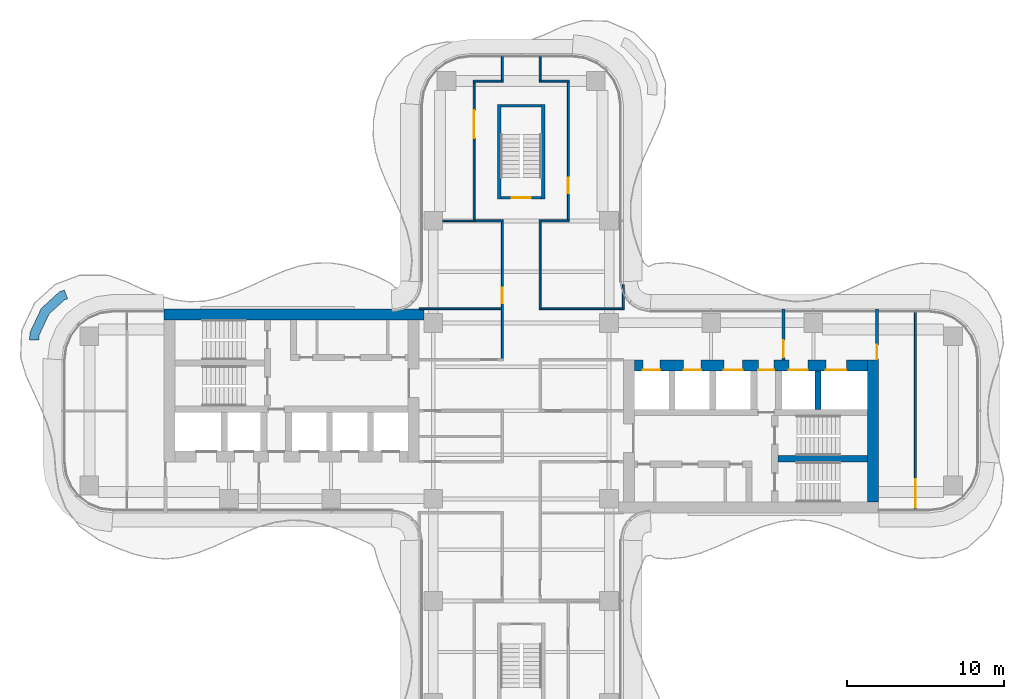
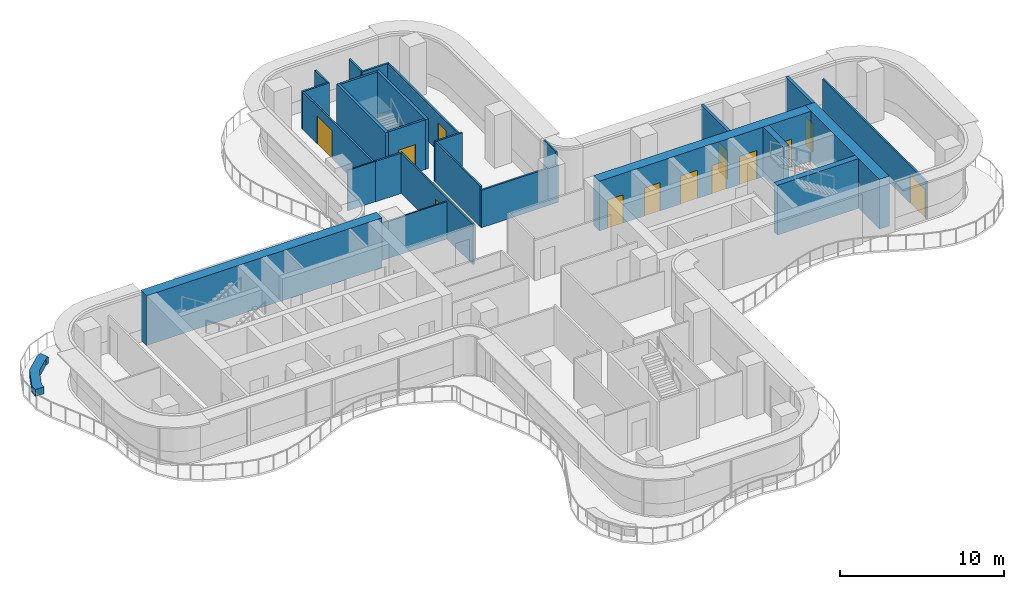
# One storey, part 15 of 18: 27 walls, 13 doors, 13 openings.
"""IFC4 building model written with IfcOpenShell, lengths in metres."""

from ifc_helpers import new_model, si_unit, direction, frame, frame_2d, origin, place, context, subcontext, project, spatial, polyline, rectangle, outline, extrude, source, transform, mapped, material, layer, layer_set, type_object, element, fill, save


model = new_model("IFC4")

# Units and contexts
model_context = context("Model", 3, precision=1e-05, world=origin(), true_north=direction((0.0, 1.0)))
body_context = subcontext(model_context, "Body", "Model", "MODEL_VIEW")
ifc_project = project(units=[si_unit("LENGTHUNIT", "METRE"), si_unit("AREAUNIT", "SQUARE_METRE"), si_unit("VOLUMEUNIT", "CUBIC_METRE"), si_unit("PLANEANGLEUNIT", "RADIAN"), si_unit("MASSUNIT", "GRAM", prefix="KILO")], contexts=[model_context])

# Site, building, storey
site_placement = place(None, origin())
site = spatial("IfcSite", under=ifc_project, at=site_placement, CompositionType="ELEMENT")
building_placement = place(site_placement, origin())
building = spatial("IfcBuilding", under=site, at=building_placement, Name="Trellis Farm Tower", CompositionType="ELEMENT")
storey_placement = place(building_placement, frame((0.0, 0.0, 201.0)))
storey = spatial("IfcBuildingStorey", under=building, at=storey_placement, Name="L44", CompositionType="ELEMENT", Elevation=201.0)

# Walls
ifc_material_1 = material(Name="Sandstone faced masonry planter", Category="masonry")
ifc_layer_1 = layer(ifc_material_1, 0.60009765625)
ifc_layer_set_1 = layer_set([ifc_layer_1], Name="PLANTER BED 600")
wall_type_1 = type_object("IfcWallType", Name="PLANTER BED 600", PredefinedType="USERDEFINED", material=ifc_layer_set_1)
wall_1_placement = place(storey_placement, origin())
element("IfcWall", 1, at=wall_1_placement, inside=storey, type_object=wall_type_1, Name="PLANTER bed", ObjectType="PLANTER", PredefinedType="USERDEFINED", context=body_context, shape_type="SweptSolid", body=[
    extrude(outline(polyline([(-30.5546875, 6.529296875), (-29.399658203125, 7.5810546875), (-29.090087890625, 7.697021484375), (-28.8798828125, 7.135009765625), (-29.0810546875, 7.0595703125), (-30.0625, 6.166259765625), (-30.689208984375, 4.83203125), (-30.7001953125, 4.5029296875), (-31.2998046875, 4.523193359375), (-31.28466796875, 4.9755859375), (-30.5546875, 6.529296875)])), origin(), (0.0, 0.0, 1.0), 0.5),
])
ifc_material_2 = material(Name="Concrete C70/85", Category="concrete")
ifc_layer_2 = layer(ifc_material_2, 0.699951171875)
ifc_layer_set_2 = layer_set([ifc_layer_2], Name="CORE OUTER WALL 700 CONCRETE C70/85")
wall_type_2 = type_object("IfcWallType", Name="CORE OUTER WALL 700 CONCRETE C70/85", PredefinedType="SHEAR", material=ifc_layer_set_2)
shared_shape_1 = source(origin(), body_context, "Body", "SweptSolid", [
    extrude(rectangle(XDim=9.050048828125, YDim=0.699951171875, at=frame_2d((4.52490234375, 0.0))), origin(), (0.0, 0.0, 1.0), 3.699951171875),
])
wall_2_placement = place(storey_placement, frame((22.39990234375, -5.800048828125, 0.0), z_axis=(0.0, 0.0, 1.0), x_axis=(0.0, 1.0, 0.0)))
element("IfcWall", 2, at=wall_2_placement, inside=storey, type_object=wall_type_2, Name="Core wall", PredefinedType="SHEAR", context=body_context, shape_type="MappedRepresentation", body=[
    mapped(shared_shape_1, transform((0.0, 0.0, 0.0))),
])
ifc_layer_3 = layer(ifc_material_2, 0.39990234375)
ifc_layer_set_3 = layer_set([ifc_layer_3], Name="CORE INNER WALL 400 CONCRETE C70/85")
wall_type_3 = type_object("IfcWallType", Name="CORE INNER WALL 400 CONCRETE C70/85", PredefinedType="SHEAR", material=ifc_layer_set_3)
shared_shape_2 = source(origin(), body_context, "Body", "SweptSolid", [
    extrude(rectangle(XDim=2.449951171875, YDim=0.39990234375, at=frame_2d((1.22509765625, 0.0))), origin(), (0.0, 0.0, 1.0), 3.699951171875),
])
wall_3_placement = place(storey_placement, frame((18.89990234375, 0.10009765625, 0.0), z_axis=(0.0, 0.0, 1.0), x_axis=(0.0, 1.0, 0.0)))
element("IfcWall", 3, at=wall_3_placement, inside=storey, type_object=wall_type_3, Name="Core wall", PredefinedType="SHEAR", context=body_context, shape_type="MappedRepresentation", body=[
    mapped(shared_shape_2, transform((0.0, 0.0, 0.0))),
])

# Wall, opening, door
ifc_material_3 = material(Name="Masonry blockwork", Category="masonry")
ifc_layer_4 = layer(ifc_material_3, 0.199951171875)
ifc_layer_set_4 = layer_set([ifc_layer_4], Name="FIRE LOBBY PARTITION 200 BLOCKWORK")
wall_type_4 = type_object("IfcWallType", Name="FIRE LOBBY PARTITION 200 BLOCKWORK", PredefinedType="PARTITIONING", material=ifc_layer_set_4)
shared_shape_3 = source(origin(), body_context, "Body", "SweptSolid", [
    extrude(rectangle(XDim=3.25, YDim=0.199951171875, at=frame_2d((1.625, 0.0))), origin(), (0.0, 0.0, 1.0), 3.699951171875),
])
wall_4_placement = place(storey_placement, frame((16.699951171875, 3.25, 0.0), z_axis=(0.0, 0.0, 1.0), x_axis=(0.0, 1.0, 0.0)))
wall_4 = element("IfcWall", 4, at=wall_4_placement, inside=storey, type_object=wall_type_4, Name="Fire-fighting lobby partition", PredefinedType="PARTITIONING", context=body_context, shape_type="MappedRepresentation", body=[
    mapped(shared_shape_3, transform((0.0, 0.0, 0.0))),
])
shared_shape_4 = source(origin(), body_context, "Body", "SweptSolid", [
    extrude(rectangle(XDim=1.10009765625, YDim=2.10009765625, at=frame_2d((0.550048828125, 1.050048828125))), frame((0.0, 0.110107421875, 0.0), z_axis=(0.0, -1.0, 0.0), x_axis=(1.0, 0.0, 0.0)), (0.0, 0.0, 1.0), 0.22021484375),
])
opening_1_placement = place(wall_4_placement, frame((0.14990234375, 0.0, 0.0)))
opening_1 = element("IfcOpeningElement", 5, at=opening_1_placement, cuts=wall_4, Name="Opening DC7", PredefinedType="OPENING", context=body_context, shape_type="MappedRepresentation", body=[
    mapped(shared_shape_4, transform((0.0, 0.0, 0.0))),
])
ifc_material_4 = material(Name="Steel", Category="steel")
door_type_1 = type_object("IfcDoorType", Name="CORE FIRE DOOR 1100 X 2100", OperationType="NOTDEFINED", PredefinedType="DOOR", material=ifc_material_4)
shared_shape_5 = source(origin(), body_context, "Body", "SweptSolid", [
    extrude(rectangle(XDim=1.10009765625, YDim=2.10009765625, at=frame_2d((0.550048828125, 1.050048828125))), frame((0.0, 0.02490234375, 0.0), z_axis=(0.0, -1.0, 0.0), x_axis=(1.0, 0.0, 0.0)), (0.0, 0.0, 1.0), 0.050048828125),
])
door_1_placement = place(opening_1_placement, origin())
door_1 = element("IfcDoor", 6, at=door_1_placement, inside=storey, type_object=door_type_1, Name="Core door", OperationType="SINGLE_SWING_RIGHT", OverallHeight=2.10009765625, OverallWidth=1.10009765625, PredefinedType="DOOR", context=body_context, shape_type="MappedRepresentation", body=[
    mapped(shared_shape_5, transform((0.0, 0.0, 0.0))),
])
fill(opening_1, door_1)

wall_5_placement = place(storey_placement, frame((22.64990234375, 3.25, 0.0), z_axis=(0.0, 0.0, 1.0), x_axis=(0.0, 1.0, 0.0)))
wall_5 = element("IfcWall", 7, at=wall_5_placement, inside=storey, type_object=wall_type_4, Name="Fire-fighting lobby partition", PredefinedType="PARTITIONING", context=body_context, shape_type="MappedRepresentation", body=[
    mapped(shared_shape_3, transform((0.0, 0.0, 0.0))),
])
shared_shape_6 = source(origin(), body_context, "Body", "SweptSolid", [
    extrude(rectangle(XDim=0.89990234375, YDim=2.10009765625, at=frame_2d((0.449951171875, 1.050048828125))), frame((0.0, 0.110107421875, 0.0), z_axis=(0.0, -1.0, 0.0), x_axis=(1.0, 0.0, 0.0)), (0.0, 0.0, 1.0), 0.22021484375),
])
opening_2_placement = place(wall_5_placement, frame((0.050048828125, 0.0, 0.0)))
opening_2 = element("IfcOpeningElement", 8, at=opening_2_placement, cuts=wall_5, Name="Opening DC8", PredefinedType="OPENING", context=body_context, shape_type="MappedRepresentation", body=[
    mapped(shared_shape_6, transform((0.0, 0.0, 0.0))),
])
door_type_2 = type_object("IfcDoorType", Name="CORE FIRE DOOR 900 X 2100", OperationType="NOTDEFINED", PredefinedType="DOOR", material=ifc_material_4)
shared_shape_7 = source(origin(), body_context, "Body", "SweptSolid", [
    extrude(rectangle(XDim=0.89990234375, YDim=2.10009765625, at=frame_2d((0.449951171875, 1.050048828125))), frame((0.0, 0.02490234375, 0.0), z_axis=(0.0, -1.0, 0.0), x_axis=(1.0, 0.0, 0.0)), (0.0, 0.0, 1.0), 0.050048828125),
])
door_2_placement = place(opening_2_placement, origin())
door_2 = element("IfcDoor", 9, at=door_2_placement, inside=storey, type_object=door_type_2, Name="Core door", OperationType="SINGLE_SWING_RIGHT", OverallHeight=2.10009765625, OverallWidth=0.89990234375, PredefinedType="DOOR", context=body_context, shape_type="MappedRepresentation", body=[
    mapped(shared_shape_7, transform((0.0, 0.0, 0.0))),
])
fill(opening_2, door_2)

# Wall
shared_shape_8 = source(origin(), body_context, "Body", "SweptSolid", [
    extrude(rectangle(XDim=16.550048828125, YDim=0.699951171875, at=frame_2d((8.27490234375, 0.0))), origin(), (0.0, 0.0, 1.0), 3.699951171875),
])
wall_6_placement = place(storey_placement, frame((-6.199951171875, 6.14990234375, 0.0), z_axis=(0.0, 0.0, 1.0), x_axis=(-1.0, 0.0, 0.0)))
element("IfcWall", 10, at=wall_6_placement, inside=storey, type_object=wall_type_2, Name="Core wall", PredefinedType="SHEAR", context=body_context, shape_type="MappedRepresentation", body=[
    mapped(shared_shape_8, transform((0.0, 0.0, 0.0))),
])

# Wall, openings, doors
shared_shape_9 = source(origin(), body_context, "Body", "SweptSolid", [
    extrude(rectangle(XDim=14.85009765625, YDim=0.699951171875, at=frame_2d((7.425048828125, 0.0))), origin(), (0.0, 0.0, 1.0), 3.699951171875),
])
wall_7_placement = place(storey_placement, frame((7.199951171875, 2.89990234375, 0.0), z_axis=(0.0, 0.0, 1.0), x_axis=(1.0, 0.0, 0.0)))
wall_7 = element("IfcWall", 11, at=wall_7_placement, inside=storey, type_object=wall_type_2, Name="Core wall", PredefinedType="SHEAR", context=body_context, shape_type="MappedRepresentation", body=[
    mapped(shared_shape_9, transform((0.0, 0.0, 0.0))),
])
shared_shape_10 = source(origin(), body_context, "Body", "SweptSolid", [
    extrude(rectangle(XDim=1.10009765625, YDim=2.10009765625, at=frame_2d((0.550048828125, 1.050048828125))), frame((0.0, 0.360107421875, 0.0), z_axis=(0.0, -1.0, 0.0), x_axis=(1.0, 0.0, 0.0)), (0.0, 0.0, 1.0), 0.72021484375),
])
opening_3_placement = place(wall_7_placement, frame((0.550048828125, 0.0, 0.0)))
opening_3 = element("IfcOpeningElement", 12, at=opening_3_placement, cuts=wall_7, Name="Opening LD4", PredefinedType="OPENING", context=body_context, shape_type="MappedRepresentation", body=[
    mapped(shared_shape_10, transform((0.0, 0.0, 0.0))),
])
opening_4_placement = place(wall_7_placement, frame((3.14990234375, 0.0, 0.0)))
opening_4 = element("IfcOpeningElement", 13, at=opening_4_placement, cuts=wall_7, Name="Opening LD5", PredefinedType="OPENING", context=body_context, shape_type="MappedRepresentation", body=[
    mapped(shared_shape_10, transform((0.0, 0.0, 0.0))),
])
shared_shape_11 = source(origin(), body_context, "Body", "SweptSolid", [
    extrude(rectangle(XDim=1.199951171875, YDim=2.10009765625, at=frame_2d((0.60009765625, 1.050048828125))), frame((0.0, 0.360107421875, 0.0), z_axis=(0.0, -1.0, 0.0), x_axis=(1.0, 0.0, 0.0)), (0.0, 0.0, 1.0), 0.72021484375),
])
opening_5_placement = place(wall_7_placement, frame((5.699951171875, 0.0, 0.0)))
opening_5 = element("IfcOpeningElement", 14, at=opening_5_placement, cuts=wall_7, Name="Opening LD6", PredefinedType="OPENING", context=body_context, shape_type="MappedRepresentation", body=[
    mapped(shared_shape_11, transform((0.0, 0.0, 0.0))),
])
shared_shape_12 = source(origin(), body_context, "Body", "SweptSolid", [
    extrude(rectangle(XDim=1.300048828125, YDim=2.10009765625, at=frame_2d((0.64990234375, 1.050048828125))), frame((0.0, 0.360107421875, 0.0), z_axis=(0.0, -1.0, 0.0), x_axis=(1.0, 0.0, 0.0)), (0.0, 0.0, 1.0), 0.72021484375),
])
opening_6_placement = place(wall_7_placement, frame((12.199951171875, 0.0, 0.0)))
opening_6 = element("IfcOpeningElement", 15, at=opening_6_placement, cuts=wall_7, Name="Opening LD7", PredefinedType="OPENING", context=body_context, shape_type="MappedRepresentation", body=[
    mapped(shared_shape_12, transform((0.0, 0.0, 0.0))),
])
opening_7_placement = place(wall_7_placement, frame((9.85009765625, 0.0, 0.0)))
opening_7 = element("IfcOpeningElement", 16, at=opening_7_placement, cuts=wall_7, Name="Opening LD8", PredefinedType="OPENING", context=body_context, shape_type="MappedRepresentation", body=[
    mapped(shared_shape_11, transform((0.0, 0.0, 0.0))),
])
shared_shape_13 = source(origin(), body_context, "Body", "SweptSolid", [
    extrude(rectangle(XDim=1.0, YDim=2.10009765625, at=frame_2d((0.5, 1.050048828125))), frame((0.0, 0.360107421875, 0.0), z_axis=(0.0, -1.0, 0.0), x_axis=(1.0, 0.0, 0.0)), (0.0, 0.0, 1.0), 0.72021484375),
])
opening_8_placement = place(wall_7_placement, frame((7.89990234375, 0.0, 0.0)))
opening_8 = element("IfcOpeningElement", 17, at=opening_8_placement, cuts=wall_7, Name="Opening DC6", PredefinedType="OPENING", context=body_context, shape_type="MappedRepresentation", body=[
    mapped(shared_shape_13, transform((0.0, 0.0, 0.0))),
])
door_type_3 = type_object("IfcDoorType", Name="CORE FIRE DOOR 1000 X 2100", OperationType="NOTDEFINED", PredefinedType="DOOR", material=ifc_material_4)
shared_shape_14 = source(origin(), body_context, "Body", "SweptSolid", [
    extrude(rectangle(XDim=1.0, YDim=2.10009765625, at=frame_2d((0.5, 1.050048828125))), frame((0.0, -0.27490234375, 0.0), z_axis=(0.0, -1.0, 0.0), x_axis=(1.0, 0.0, 0.0)), (0.0, 0.0, 1.0), 0.050048828125),
])
door_3_placement = place(opening_8_placement, origin())
door_3 = element("IfcDoor", 18, at=door_3_placement, inside=storey, type_object=door_type_3, Name="Core door", OperationType="SINGLE_SWING_LEFT", OverallHeight=2.10009765625, OverallWidth=1.0, PredefinedType="DOOR", context=body_context, shape_type="MappedRepresentation", body=[
    mapped(shared_shape_14, transform((0.0, 0.0, 0.0))),
])
fill(opening_8, door_3)
ifc_material_5 = material(Name="Stainless steel", Category="steel")
door_type_4 = type_object("IfcDoorType", Name="LIFT LANDING DOOR 1300 X 2100", OperationType="DOUBLE_DOOR_SLIDING", PredefinedType="DOOR", material=ifc_material_5)
shared_shape_15 = source(origin(), body_context, "Body", "SweptSolid", [
    extrude(rectangle(XDim=1.300048828125, YDim=2.10009765625, at=frame_2d((0.64990234375, 1.050048828125))), frame((0.0, -0.27490234375, 0.0), z_axis=(0.0, -1.0, 0.0), x_axis=(1.0, 0.0, 0.0)), (0.0, 0.0, 1.0), 0.050048828125),
])
door_4_placement = place(opening_6_placement, origin())
door_4 = element("IfcDoor", 19, at=door_4_placement, inside=storey, type_object=door_type_4, Name="Lift landing door", OperationType="DOUBLE_DOOR_SLIDING", OverallHeight=2.10009765625, OverallWidth=1.300048828125, PredefinedType="DOOR", context=body_context, shape_type="MappedRepresentation", body=[
    mapped(shared_shape_15, transform((0.0, 0.0, 0.0))),
])
fill(opening_6, door_4)
door_type_5 = type_object("IfcDoorType", Name="LIFT LANDING DOOR 1200 X 2100", OperationType="DOUBLE_DOOR_SLIDING", PredefinedType="DOOR", material=ifc_material_5)
shared_shape_16 = source(origin(), body_context, "Body", "SweptSolid", [
    extrude(rectangle(XDim=1.199951171875, YDim=2.10009765625, at=frame_2d((0.60009765625, 1.050048828125))), frame((0.0, -0.27490234375, 0.0), z_axis=(0.0, -1.0, 0.0), x_axis=(1.0, 0.0, 0.0)), (0.0, 0.0, 1.0), 0.050048828125),
])
door_5_placement = place(opening_5_placement, origin())
door_5 = element("IfcDoor", 20, at=door_5_placement, inside=storey, type_object=door_type_5, Name="Lift landing door", OperationType="DOUBLE_DOOR_SLIDING", OverallHeight=2.10009765625, OverallWidth=1.199951171875, PredefinedType="DOOR", context=body_context, shape_type="MappedRepresentation", body=[
    mapped(shared_shape_16, transform((0.0, 0.0, 0.0))),
])
fill(opening_5, door_5)
door_6_placement = place(opening_7_placement, origin())
door_6 = element("IfcDoor", 21, at=door_6_placement, inside=storey, type_object=door_type_5, Name="Lift landing door", OperationType="DOUBLE_DOOR_SLIDING", OverallHeight=2.10009765625, OverallWidth=1.199951171875, PredefinedType="DOOR", context=body_context, shape_type="MappedRepresentation", body=[
    mapped(shared_shape_16, transform((0.0, 0.0, 0.0))),
])
fill(opening_7, door_6)
door_type_6 = type_object("IfcDoorType", Name="LIFT LANDING DOOR 1100 X 2100", OperationType="DOUBLE_DOOR_SLIDING", PredefinedType="DOOR", material=ifc_material_5)
shared_shape_17 = source(origin(), body_context, "Body", "SweptSolid", [
    extrude(rectangle(XDim=1.10009765625, YDim=2.10009765625, at=frame_2d((0.550048828125, 1.050048828125))), frame((0.0, -0.27490234375, 0.0), z_axis=(0.0, -1.0, 0.0), x_axis=(1.0, 0.0, 0.0)), (0.0, 0.0, 1.0), 0.050048828125),
])
door_7_placement = place(opening_3_placement, origin())
door_7 = element("IfcDoor", 22, at=door_7_placement, inside=storey, type_object=door_type_6, Name="Lift landing door", OperationType="DOUBLE_DOOR_SLIDING", OverallHeight=2.10009765625, OverallWidth=1.10009765625, PredefinedType="DOOR", context=body_context, shape_type="MappedRepresentation", body=[
    mapped(shared_shape_17, transform((0.0, 0.0, 0.0))),
])
fill(opening_3, door_7)
door_8_placement = place(opening_4_placement, origin())
door_8 = element("IfcDoor", 23, at=door_8_placement, inside=storey, type_object=door_type_6, Name="Lift landing door", OperationType="DOUBLE_DOOR_SLIDING", OverallHeight=2.10009765625, OverallWidth=1.10009765625, PredefinedType="DOOR", context=body_context, shape_type="MappedRepresentation", body=[
    mapped(shared_shape_17, transform((0.0, 0.0, 0.0))),
])
fill(opening_4, door_8)

# Walls
shared_shape_18 = source(origin(), body_context, "Body", "SweptSolid", [
    extrude(rectangle(XDim=5.699951171875, YDim=0.39990234375, at=frame_2d((2.85009765625, 0.0))), origin(), (0.0, 0.0, 1.0), 3.699951171875),
])
wall_8_placement = place(storey_placement, frame((16.35009765625, -3.050048828125, 0.0), z_axis=(0.0, 0.0, 1.0), x_axis=(1.0, 0.0, 0.0)))
element("IfcWall", 24, at=wall_8_placement, inside=storey, type_object=wall_type_3, Name="Core wall", PredefinedType="SHEAR", context=body_context, shape_type="MappedRepresentation", body=[
    mapped(shared_shape_18, transform((0.0, 0.0, 0.0))),
])
ifc_layer_5 = layer(ifc_material_2, 0.199951171875)
ifc_layer_set_5 = layer_set([ifc_layer_5], Name="CORE STAIR ENCLOSURE WALL 200 CONCRETE C70/85")
wall_type_5 = type_object("IfcWallType", Name="CORE STAIR ENCLOSURE WALL 200 CONCRETE C70/85", PredefinedType="SHEAR", material=ifc_layer_set_5)
shared_shape_19 = source(origin(), body_context, "Body", "SweptSolid", [
    extrude(rectangle(XDim=6.0, YDim=0.199951171875, at=frame_2d((3.0, 0.0))), origin(), (0.0, 0.0, 1.0), 3.699951171875),
])
for number, where, z_axis, x_axis, name in (
    (25, (-1.39990234375, 13.5, 0.0), (0.0, 0.0, 1.0), (0.0, 1.0, 0.0), "Stair enclosure wall"),
    (26, (1.39990234375, 13.5, 0.0), (0.0, 0.0, 1.0), (0.0, 1.0, 0.0), "Stair enclosure wall"),
):
    element("IfcWall", number, at=place(storey_placement, frame(where, z_axis=z_axis, x_axis=x_axis)), inside=storey, type_object=wall_type_5, Name=name, PredefinedType="SHEAR", context=body_context, shape_type="MappedRepresentation", body=[
        mapped(shared_shape_19, transform((0.0, 0.0, 0.0))),
    ])

# Wall, opening, door
ifc_layer_6 = layer(ifc_material_2, 0.14990234375)
ifc_layer_set_6 = layer_set([ifc_layer_6], Name="CORE STAIR ENCLOSURE WALL 150 CONCRETE C70/85")
wall_type_6 = type_object("IfcWallType", Name="CORE STAIR ENCLOSURE WALL 150 CONCRETE C70/85", PredefinedType="SHEAR", material=ifc_layer_set_6)
shared_shape_20 = source(origin(), body_context, "Body", "SweptSolid", [
    extrude(rectangle(XDim=2.60009765625, YDim=0.14990234375, at=frame_2d((1.300048828125, 0.0))), origin(), (0.0, 0.0, 1.0), 3.699951171875),
])
wall_9_placement = place(storey_placement, frame((-1.300048828125, 13.574951171875, 0.0), z_axis=(0.0, 0.0, 1.0), x_axis=(1.0, 0.0, 0.0)))
wall_9 = element("IfcWall", 27, at=wall_9_placement, inside=storey, type_object=wall_type_6, Name="Stair enclosure wall", PredefinedType="SHEAR", context=body_context, shape_type="MappedRepresentation", body=[
    mapped(shared_shape_20, transform((0.0, 0.0, 0.0))),
])
shared_shape_21 = source(origin(), body_context, "Body", "SweptSolid", [
    extrude(rectangle(XDim=1.199951171875, YDim=2.10009765625, at=frame_2d((0.60009765625, 1.050048828125))), frame((0.0, 0.0849609375, 0.0), z_axis=(0.0, -1.0, 0.0), x_axis=(1.0, 0.0, 0.0)), (0.0, 0.0, 1.0), 0.169921875),
])
opening_9_placement = place(wall_9_placement, frame((0.699951171875, 0.0, 0.0)))
opening_9 = element("IfcOpeningElement", 28, at=opening_9_placement, cuts=wall_9, Name="Opening DC173", PredefinedType="OPENING", context=body_context, shape_type="MappedRepresentation", body=[
    mapped(shared_shape_21, transform((0.0, 0.0, 0.0))),
])
door_type_7 = type_object("IfcDoorType", Name="CORE FIRE DOOR 1200 X 2100", OperationType="NOTDEFINED", PredefinedType="DOOR", material=ifc_material_4)
shared_shape_22 = source(origin(), body_context, "Body", "SweptSolid", [
    extrude(rectangle(XDim=1.199951171875, YDim=2.10009765625, at=frame_2d((0.60009765625, 1.050048828125))), frame((0.0, 0.02490234375, 0.0), z_axis=(0.0, -1.0, 0.0), x_axis=(1.0, 0.0, 0.0)), (0.0, 0.0, 1.0), 0.050048828125),
])
door_9_placement = place(opening_9_placement, origin())
door_9 = element("IfcDoor", 29, at=door_9_placement, inside=storey, type_object=door_type_7, Name="Core door", OperationType="SINGLE_SWING_LEFT", OverallHeight=2.10009765625, OverallWidth=1.199951171875, PredefinedType="DOOR", context=body_context, shape_type="MappedRepresentation", body=[
    mapped(shared_shape_22, transform((0.0, 0.0, 0.0))),
])
fill(opening_9, door_9)

# Walls
wall_10_placement = place(storey_placement, frame((-1.300048828125, 19.425048828125, 0.0), z_axis=(0.0, 0.0, 1.0), x_axis=(1.0, 0.0, 0.0)))
element("IfcWall", 30, at=wall_10_placement, inside=storey, type_object=wall_type_6, Name="Stair enclosure wall", PredefinedType="SHEAR", context=body_context, shape_type="MappedRepresentation", body=[
    mapped(shared_shape_20, transform((0.0, 0.0, 0.0))),
])
ifc_material_6 = material(Name="Plasterboard on steel studs, mineral wool", Category="steel")
ifc_layer_7 = layer(ifc_material_6, 0.125)
ifc_layer_set_7 = layer_set([ifc_layer_7], Name="PARTITION 125 STUD EI 60")
wall_type_7 = type_object("IfcWallType", Name="PARTITION 125 STUD EI 60", PredefinedType="PARTITIONING", material=ifc_layer_set_7)
shared_shape_23 = source(origin(), body_context, "Body", "SweptSolid", [
    extrude(rectangle(XDim=5.47509765625, YDim=0.125, at=frame_2d((2.737548828125, 0.0))), origin(), (0.0, 0.0, 1.0), 2.99658203125),
])
wall_11_placement = place(storey_placement, frame((1.199951171875, 12.03759765625, 0.0), z_axis=(0.0, 0.0, 1.0), x_axis=(0.0, -1.0, 0.0)))
element("IfcWall", 31, at=wall_11_placement, inside=storey, type_object=wall_type_7, Name="Partition PW1", PredefinedType="PARTITIONING", context=body_context, shape_type="MappedRepresentation", body=[
    mapped(shared_shape_23, transform((0.0, 0.0, 0.0))),
])
shared_shape_24 = source(origin(), body_context, "Body", "SweptSolid", [
    extrude(rectangle(XDim=1.468994140625, YDim=0.125, at=frame_2d((0.734375, 0.0))), origin(), (0.0, 0.0, 1.0), 3.699951171875),
])
wall_12_placement = place(storey_placement, frame((6.5, 6.5625, 0.0), z_axis=(0.0, 0.0, 1.0), x_axis=(0.0, 1.0, 0.0)))
element("IfcWall", 32, at=wall_12_placement, inside=storey, type_object=wall_type_7, Name="Partition PW1", PredefinedType="PARTITIONING", context=body_context, shape_type="MappedRepresentation", body=[
    mapped(shared_shape_24, transform((0.0, 0.0, 0.0))),
])

# Wall, opening, door
shared_shape_25 = source(origin(), body_context, "Body", "SweptSolid", [
    extrude(rectangle(XDim=12.60009765625, YDim=0.125, at=frame_2d((6.300048828125, 0.0))), origin(), (0.0, 0.0, 1.0), 2.780029296875),
])
wall_13_placement = place(storey_placement, frame((25.10009765625, 6.300048828125, 0.0), z_axis=(0.0, 0.0, 1.0), x_axis=(0.0, -1.0, 0.0)))
wall_13 = element("IfcWall", 33, at=wall_13_placement, inside=storey, type_object=wall_type_7, Name="Partition PW1", PredefinedType="PARTITIONING", context=body_context, shape_type="MappedRepresentation", body=[
    mapped(shared_shape_25, transform((0.0, 0.0, 0.0))),
])
shared_shape_26 = source(origin(), body_context, "Body", "SweptSolid", [
    extrude(rectangle(XDim=1.800048828125, YDim=2.10009765625, at=frame_2d((0.89990234375, 1.050048828125))), frame((0.0, 0.072509765625, 0.0), z_axis=(0.0, -1.0, 0.0), x_axis=(1.0, 0.0, 0.0)), (0.0, 0.0, 1.0), 0.14501953125),
])
opening_10_placement = place(wall_13_placement, frame((10.64990234375, 0.0, 0.0)))
opening_10 = element("IfcOpeningElement", 34, at=opening_10_placement, cuts=wall_13, Name="Opening D201", PredefinedType="OPENING", context=body_context, shape_type="MappedRepresentation", body=[
    mapped(shared_shape_26, transform((0.0, 0.0, 0.0))),
])
ifc_material_7 = material(Name="Fire-rated timber door leaf in a hollow metal frame", Category="wood")
door_type_8 = type_object("IfcDoorType", Name="DOOR PAIR 1800x2100 FD30S", OperationType="NOTDEFINED", PredefinedType="DOOR", material=ifc_material_7)
shared_shape_27 = source(origin(), body_context, "Body", "SweptSolid", [
    extrude(rectangle(XDim=1.800048828125, YDim=2.10009765625, at=frame_2d((0.89990234375, 1.050048828125))), frame((0.0, 0.02490234375, 0.0), z_axis=(0.0, -1.0, 0.0), x_axis=(1.0, 0.0, 0.0)), (0.0, 0.0, 1.0), 0.050048828125),
])
door_10_placement = place(opening_10_placement, origin())
door_10 = element("IfcDoor", 35, at=door_10_placement, inside=storey, type_object=door_type_8, Name="Door D201", OperationType="DOUBLE_DOOR_SINGLE_SWING", OverallHeight=2.10009765625, OverallWidth=1.800048828125, PredefinedType="DOOR", context=body_context, shape_type="MappedRepresentation", body=[
    mapped(shared_shape_27, transform((0.0, 0.0, 0.0))),
])
fill(opening_10, door_10)

# Wall
ifc_material_8 = material(Name="Plasterboard on steel studs", Category="steel")
ifc_layer_8 = layer(ifc_material_8, 0.10009765625)
ifc_layer_set_8 = layer_set([ifc_layer_8], Name="PARTITION 100 STUD EI 30")
wall_type_8 = type_object("IfcWallType", Name="PARTITION 100 STUD EI 30", PredefinedType="PARTITIONING", material=ifc_layer_set_8)
shared_shape_28 = source(origin(), body_context, "Body", "SweptSolid", [
    extrude(rectangle(XDim=2.0625, YDim=0.10009765625, at=frame_2d((1.03125, 0.0))), origin(), (0.0, 0.0, 1.0), 2.99658203125),
])
wall_14_placement = place(storey_placement, frame((-5.0, 12.10009765625, 0.0), z_axis=(0.0, 0.0, 1.0), x_axis=(1.0, 0.0, 0.0)))
element("IfcWall", 36, at=wall_14_placement, inside=storey, type_object=wall_type_8, Name="Partition PW2", PredefinedType="PARTITIONING", context=body_context, shape_type="MappedRepresentation", body=[
    mapped(shared_shape_28, transform((0.0, 0.0, 0.0))),
])

# Wall, opening, door
shared_shape_29 = source(origin(), body_context, "Body", "SweptSolid", [
    extrude(rectangle(XDim=8.72509765625, YDim=0.125, at=frame_2d((4.362548828125, 0.0))), origin(), (0.0, 0.0, 1.0), 2.99658203125),
])
wall_15_placement = place(storey_placement, frame((-1.199951171875, 12.03759765625, 0.0), z_axis=(0.0, 0.0, 1.0), x_axis=(0.0, -1.0, 0.0)))
wall_15 = element("IfcWall", 37, at=wall_15_placement, inside=storey, type_object=wall_type_7, Name="Partition PW1", PredefinedType="PARTITIONING", context=body_context, shape_type="MappedRepresentation", body=[
    mapped(shared_shape_29, transform((0.0, 0.0, 0.0))),
])
shared_shape_30 = source(origin(), body_context, "Body", "SweptSolid", [
    extrude(rectangle(XDim=1.0, YDim=2.10009765625, at=frame_2d((0.5, 1.050048828125))), frame((0.0, 0.072509765625, 0.0), z_axis=(0.0, -1.0, 0.0), x_axis=(1.0, 0.0, 0.0)), (0.0, 0.0, 1.0), 0.14501953125),
])
opening_11_placement = place(wall_15_placement, frame((4.1875, 0.0, 0.0)))
opening_11 = element("IfcOpeningElement", 38, at=opening_11_placement, cuts=wall_15, Name="Opening D110", PredefinedType="OPENING", context=body_context, shape_type="MappedRepresentation", body=[
    mapped(shared_shape_30, transform((0.0, 0.0, 0.0))),
])
door_type_9 = type_object("IfcDoorType", Name="DOOR 1000x2100 FD30S", OperationType="NOTDEFINED", PredefinedType="DOOR", material=ifc_material_7)
shared_shape_31 = source(origin(), body_context, "Body", "SweptSolid", [
    extrude(rectangle(XDim=1.0, YDim=2.10009765625, at=frame_2d((0.5, 1.050048828125))), frame((0.0, 0.02490234375, 0.0), z_axis=(0.0, -1.0, 0.0), x_axis=(1.0, 0.0, 0.0)), (0.0, 0.0, 1.0), 0.050048828125),
])
door_11_placement = place(opening_11_placement, origin())
door_11 = element("IfcDoor", 39, at=door_11_placement, inside=storey, type_object=door_type_9, Name="Door D110", OperationType="SINGLE_SWING_RIGHT", OverallHeight=2.10009765625, OverallWidth=1.0, PredefinedType="DOOR", context=body_context, shape_type="MappedRepresentation", body=[
    mapped(shared_shape_31, transform((0.0, 0.0, 0.0))),
])
fill(opening_11, door_11)

# Walls
shared_shape_32 = source(origin(), body_context, "Body", "SweptSolid", [
    extrude(rectangle(XDim=1.925048828125, YDim=0.125, at=frame_2d((0.96240234375, 0.0))), origin(), (0.0, 0.0, 1.0), 2.99658203125),
])
for number, where, z_axis, x_axis, name in (
    (40, (-1.137451171875, 12.10009765625, 0.0), (0.0, 0.0, 1.0), (-1.0, 0.0, 0.0), "Partition PW1"),
    (41, (3.0625, 12.10009765625, 0.0), (0.0, 0.0, 1.0), (-1.0, 0.0, 0.0), "Partition PW1"),
):
    element("IfcWall", number, at=place(storey_placement, frame(where, z_axis=z_axis, x_axis=x_axis)), inside=storey, type_object=wall_type_7, Name=name, PredefinedType="PARTITIONING", context=body_context, shape_type="MappedRepresentation", body=[
        mapped(shared_shape_32, transform((0.0, 0.0, 0.0))),
    ])
shared_shape_33 = source(origin(), body_context, "Body", "SweptSolid", [
    extrude(rectangle(XDim=5.425048828125, YDim=0.125, at=frame_2d((2.71240234375, 0.0))), origin(), (0.0, 0.0, 1.0), 2.780029296875),
])
wall_16_placement = place(storey_placement, frame((1.137451171875, 6.5, 0.0), z_axis=(0.0, 0.0, 1.0), x_axis=(1.0, 0.0, 0.0)))
element("IfcWall", 42, at=wall_16_placement, inside=storey, type_object=wall_type_7, Name="Partition PW1", PredefinedType="PARTITIONING", context=body_context, shape_type="MappedRepresentation", body=[
    mapped(shared_shape_33, transform((0.0, 0.0, 0.0))),
])
shared_shape_34 = source(origin(), body_context, "Body", "SweptSolid", [
    extrude(rectangle(XDim=5.237548828125, YDim=0.10009765625, at=frame_2d((2.61865234375, 0.0))), origin(), (0.0, 0.0, 1.0), 2.780029296875),
])
wall_17_placement = place(storey_placement, frame((-6.5, 6.5, 0.0), z_axis=(0.0, 0.0, 1.0), x_axis=(1.0, 0.0, 0.0)))
element("IfcWall", 43, at=wall_17_placement, inside=storey, type_object=wall_type_8, Name="Partition PW2", PredefinedType="PARTITIONING", context=body_context, shape_type="MappedRepresentation", body=[
    mapped(shared_shape_34, transform((0.0, 0.0, 0.0))),
])

# Wall, opening, door
shared_shape_35 = source(origin(), body_context, "Body", "SweptSolid", [
    extrude(rectangle(XDim=8.77490234375, YDim=0.125, at=frame_2d((4.387451171875, 0.0))), origin(), (0.0, 0.0, 1.0), 2.780029296875),
])
wall_18_placement = place(storey_placement, frame((3.0, 20.9375, 0.0), z_axis=(0.0, 0.0, 1.0), x_axis=(0.0, -1.0, 0.0)))
wall_18 = element("IfcWall", 44, at=wall_18_placement, inside=storey, type_object=wall_type_7, Name="Partition PW1", PredefinedType="PARTITIONING", context=body_context, shape_type="MappedRepresentation", body=[
    mapped(shared_shape_35, transform((0.0, 0.0, 0.0))),
])
opening_12_placement = place(wall_18_placement, frame((6.08740234375, 0.0, 0.0)))
opening_12 = element("IfcOpeningElement", 45, at=opening_12_placement, cuts=wall_18, Name="Opening D111", PredefinedType="OPENING", context=body_context, shape_type="MappedRepresentation", body=[
    mapped(shared_shape_30, transform((0.0, 0.0, 0.0))),
])
door_12_placement = place(opening_12_placement, origin())
door_12 = element("IfcDoor", 46, at=door_12_placement, inside=storey, type_object=door_type_9, Name="Door D111", OperationType="SINGLE_SWING_RIGHT", OverallHeight=2.10009765625, OverallWidth=1.0, PredefinedType="DOOR", context=body_context, shape_type="MappedRepresentation", body=[
    mapped(shared_shape_31, transform((0.0, 0.0, 0.0))),
])
fill(opening_12, door_12)

# Walls
shared_shape_36 = source(origin(), body_context, "Body", "SweptSolid", [
    extrude(rectangle(XDim=1.487548828125, YDim=0.125, at=frame_2d((0.74365234375, 0.0))), origin(), (0.0, 0.0, 1.0), 2.780029296875),
])
for number, where, z_axis, x_axis, name in (
    (47, (-1.199951171875, 22.550048828125, 0.0), (0.0, 0.0, 1.0), (0.0, -1.0, 0.0), "Partition PW1"),
    (48, (1.199951171875, 22.550048828125, 0.0), (0.0, 0.0, 1.0), (0.0, -1.0, 0.0), "Partition PW1"),
):
    element("IfcWall", number, at=place(storey_placement, frame(where, z_axis=z_axis, x_axis=x_axis)), inside=storey, type_object=wall_type_7, Name=name, PredefinedType="PARTITIONING", context=body_context, shape_type="MappedRepresentation", body=[
        mapped(shared_shape_36, transform((0.0, 0.0, 0.0))),
    ])
shared_shape_37 = source(origin(), body_context, "Body", "SweptSolid", [
    extrude(rectangle(XDim=1.925048828125, YDim=0.125, at=frame_2d((0.96240234375, 0.0))), origin(), (0.0, 0.0, 1.0), 2.780029296875),
])
for number, where, z_axis, x_axis, name in (
    (49, (-3.0625, 21.0, 0.0), (0.0, 0.0, 1.0), (1.0, 0.0, 0.0), "Partition PW1"),
    (50, (1.137451171875, 21.0, 0.0), (0.0, 0.0, 1.0), (1.0, 0.0, 0.0), "Partition PW1"),
):
    element("IfcWall", number, at=place(storey_placement, frame(where, z_axis=z_axis, x_axis=x_axis)), inside=storey, type_object=wall_type_7, Name=name, PredefinedType="PARTITIONING", context=body_context, shape_type="MappedRepresentation", body=[
        mapped(shared_shape_37, transform((0.0, 0.0, 0.0))),
    ])

# Wall, opening, door
shared_shape_38 = source(origin(), body_context, "Body", "SweptSolid", [
    extrude(rectangle(XDim=8.78759765625, YDim=0.125, at=frame_2d((4.393798828125, 0.0))), origin(), (0.0, 0.0, 1.0), 2.780029296875),
])
wall_19_placement = place(storey_placement, frame((-3.0, 12.14990234375, 0.0), z_axis=(0.0, 0.0, 1.0), x_axis=(0.0, 1.0, 0.0)))
wall_19 = element("IfcWall", 51, at=wall_19_placement, inside=storey, type_object=wall_type_7, Name="Partition PW1", PredefinedType="PARTITIONING", context=body_context, shape_type="MappedRepresentation", body=[
    mapped(shared_shape_38, transform((0.0, 0.0, 0.0))),
])
opening_13_placement = place(wall_19_placement, frame((5.199951171875, 0.0, 0.0)))
opening_13 = element("IfcOpeningElement", 52, at=opening_13_placement, cuts=wall_19, Name="Opening D202", PredefinedType="OPENING", context=body_context, shape_type="MappedRepresentation", body=[
    mapped(shared_shape_26, transform((0.0, 0.0, 0.0))),
])
door_13_placement = place(opening_13_placement, origin())
door_13 = element("IfcDoor", 53, at=door_13_placement, inside=storey, type_object=door_type_8, Name="Door D202", OperationType="DOUBLE_DOOR_SINGLE_SWING", OverallHeight=2.10009765625, OverallWidth=1.800048828125, PredefinedType="DOOR", context=body_context, shape_type="MappedRepresentation", body=[
    mapped(shared_shape_27, transform((0.0, 0.0, 0.0))),
])
fill(opening_13, door_13)

save(model, "model.ifc")
